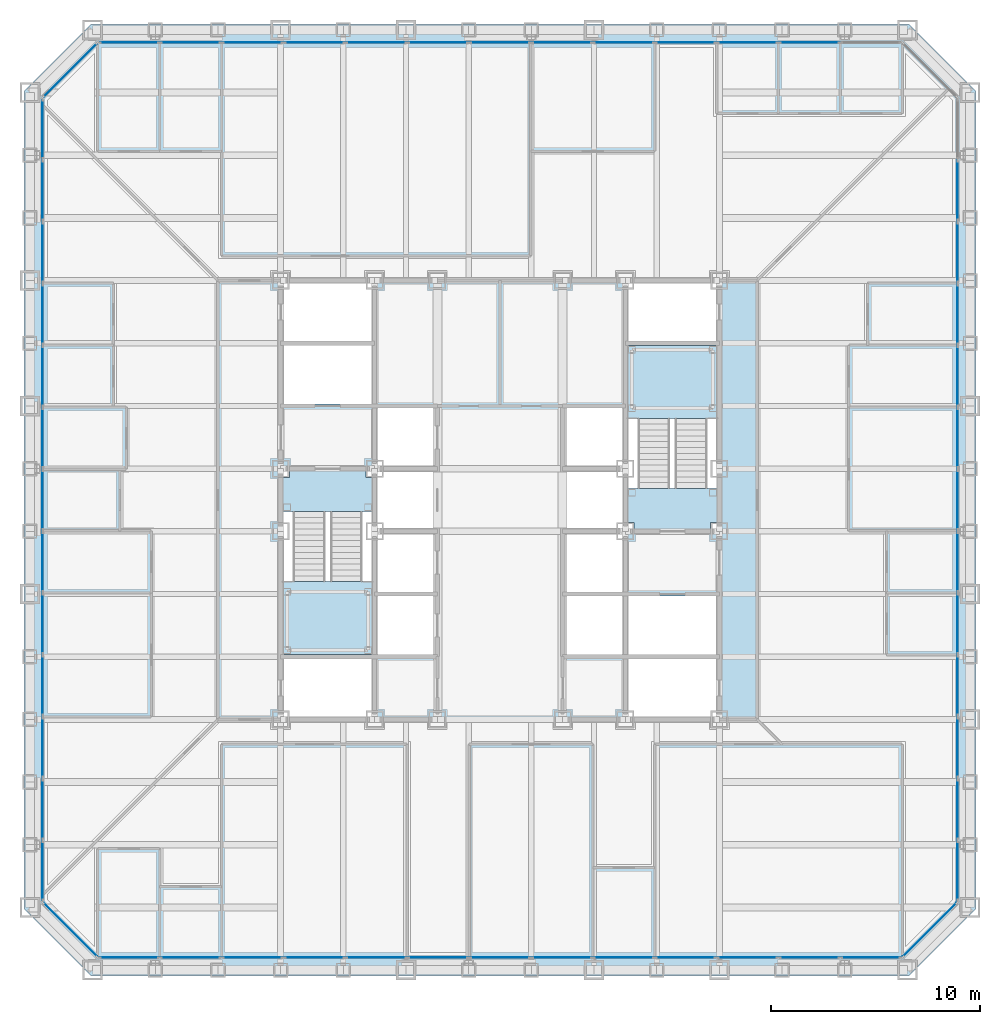
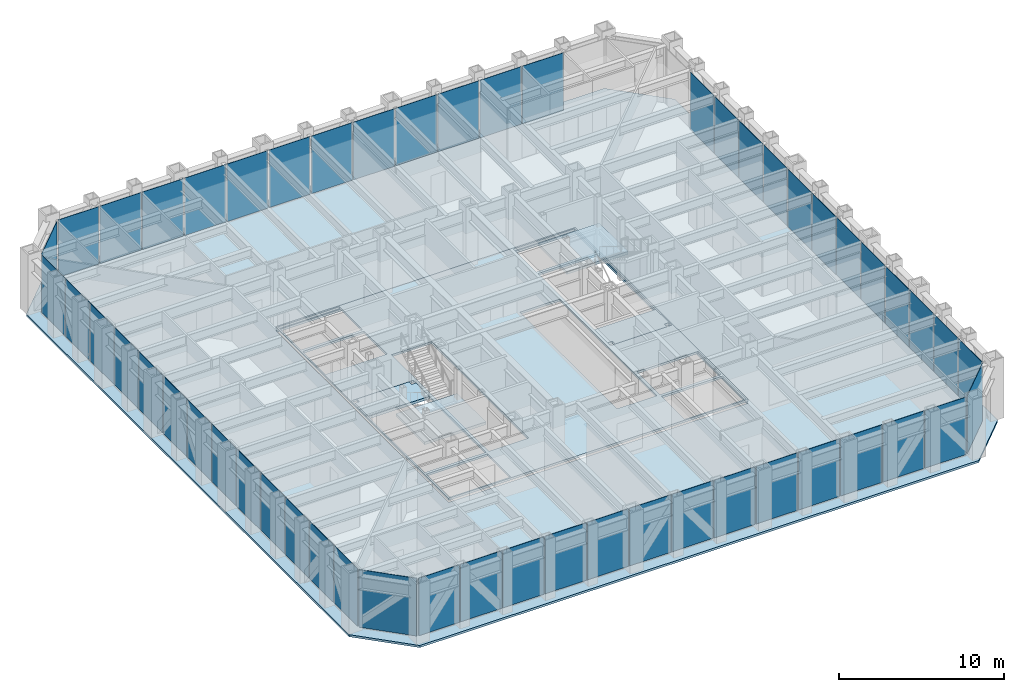
# One storey, part 7 of 17: 53 plates, 6 slabs, 9 elements without a shape of their own.
"""IFC4 building model written with IfcOpenShell, lengths in metres."""

from ifc_helpers import new_model, si_unit, direction, frame, origin, origin_2d, place, context, subcontext, project, spatial, polyline, rectangle, outline, extrude, material, layer, layer_set, type_object, element, aggregate, save


model = new_model("IFC4")

# Units and contexts
model_context = context("Model", 3, precision=1e-05, world=origin(), true_north=direction((0.0, 1.0)))
body_context = subcontext(model_context, "Body", "Model", "MODEL_VIEW")
ifc_project = project(units=[si_unit("LENGTHUNIT", "METRE"), si_unit("AREAUNIT", "SQUARE_METRE"), si_unit("VOLUMEUNIT", "CUBIC_METRE"), si_unit("PLANEANGLEUNIT", "RADIAN"), si_unit("MASSUNIT", "GRAM", prefix="KILO")], contexts=[model_context])

# Site, building, storey
site_placement = place(None, origin())
site = spatial("IfcSite", under=ifc_project, at=site_placement, CompositionType="ELEMENT")
building_placement = place(site_placement, origin())
building = spatial("IfcBuilding", under=site, at=building_placement, Name="Chuquiago Exchange Tower", CompositionType="ELEMENT")
storey_placement = place(building_placement, frame((0.0, 0.0, 69.300048828125)))
storey = spatial("IfcBuildingStorey", under=building, at=storey_placement, Name="L14", CompositionType="ELEMENT", Elevation=69.300048828125)

# Curtain wall, plates
ifc_material_1 = material(Name="Aluminium curtain wall system", Category="aluminium")
ifc_layer_1 = layer(ifc_material_1, 0.25)
ifc_layer_set_1 = layer_set([ifc_layer_1], Name="CW1 trading floor curtain wall")
curtain_wall_type_1 = type_object("IfcCurtainWallType", Name="CW1 trading floor curtain wall", PredefinedType="NOTDEFINED", material=ifc_layer_set_1)
curtain_wall_1_placement = place(storey_placement, origin())
curtain_wall_1 = element("IfcCurtainWall", 1, at=curtain_wall_1_placement, inside=storey, type_object=curtain_wall_type_1, Name="CW1 curtain wall L14", PredefinedType="NOTDEFINED")
ifc_material_2 = material(Name="Glass, insulating unit", Category="glass")
ifc_layer_2 = layer(ifc_material_2, 0.031982421875)
ifc_layer_set_2 = layer_set([ifc_layer_2], Name="CW1-P panel 32")
plate_type_1 = type_object("IfcPlateType", Name="CW1-P panel 32", PredefinedType="CURTAIN_PANEL", material=ifc_layer_set_2)
plate_1_placement = place(storey_placement, frame((10.65283203125, 0.60009765625, -0.22509765625), z_axis=(0.0, 0.0, 1.0), x_axis=(1.0, 0.0, 0.0)))
plate_1 = element("IfcPlate", 2, at=plate_1_placement, type_object=plate_type_1, Name="CW1 panel 3.1", PredefinedType="CURTAIN_PANEL", context=body_context, shape_type="SweptSolid", body=[
    extrude(rectangle(XDim=2.88671875, YDim=0.031982421875, at=origin_2d()), origin(), (0.0, 0.0, 1.0), 4.264892578125),
])
plate_2_placement = place(storey_placement, frame((13.61474609375, 0.60009765625, -0.22509765625), z_axis=(0.0, 0.0, 1.0), x_axis=(1.0, 0.0, 0.0)))
plate_2 = element("IfcPlate", 3, at=plate_2_placement, type_object=plate_type_1, Name="CW1 panel 4.1", PredefinedType="CURTAIN_PANEL", context=body_context, shape_type="SweptSolid", body=[
    extrude(rectangle(XDim=2.88671875, YDim=0.031982421875, at=origin_2d()), origin(), (0.0, 0.0, 1.0), 4.264892578125),
])
plate_3_placement = place(storey_placement, frame((16.576416015625, 0.60009765625, -0.22509765625), z_axis=(0.0, 0.0, 1.0), x_axis=(1.0, 0.0, 0.0)))
plate_3 = element("IfcPlate", 4, at=plate_3_placement, type_object=plate_type_1, Name="CW1 panel 5.1", PredefinedType="CURTAIN_PANEL", context=body_context, shape_type="SweptSolid", body=[
    extrude(rectangle(XDim=2.88671875, YDim=0.031982421875, at=origin_2d()), origin(), (0.0, 0.0, 1.0), 4.264892578125),
])
plate_4_placement = place(storey_placement, frame((25.461669921875, 0.60009765625, -0.22509765625), z_axis=(0.0, 0.0, 1.0), x_axis=(1.0, 0.0, 0.0)))
plate_4 = element("IfcPlate", 5, at=plate_4_placement, type_object=plate_type_1, Name="CW1 panel 8.1", PredefinedType="CURTAIN_PANEL", context=body_context, shape_type="SweptSolid", body=[
    extrude(rectangle(XDim=2.88671875, YDim=0.031982421875, at=origin_2d()), origin(), (0.0, 0.0, 1.0), 4.264892578125),
])
plate_5_placement = place(storey_placement, frame((28.423583984375, 0.60009765625, -0.22509765625), z_axis=(0.0, 0.0, 1.0), x_axis=(1.0, 0.0, 0.0)))
plate_5 = element("IfcPlate", 6, at=plate_5_placement, type_object=plate_type_1, Name="CW1 panel 9.1", PredefinedType="CURTAIN_PANEL", context=body_context, shape_type="SweptSolid", body=[
    extrude(rectangle(XDim=2.88671875, YDim=0.031982421875, at=origin_2d()), origin(), (0.0, 0.0, 1.0), 4.264892578125),
])
plate_6_placement = place(storey_placement, frame((31.38525390625, 0.60009765625, -0.22509765625), z_axis=(0.0, 0.0, 1.0), x_axis=(1.0, 0.0, 0.0)))
plate_6 = element("IfcPlate", 7, at=plate_6_placement, type_object=plate_type_1, Name="CW1 panel 10.1", PredefinedType="CURTAIN_PANEL", context=body_context, shape_type="SweptSolid", body=[
    extrude(rectangle(XDim=2.88671875, YDim=0.031982421875, at=origin_2d()), origin(), (0.0, 0.0, 1.0), 4.264892578125),
])
plate_7_placement = place(storey_placement, frame((34.34716796875, 0.60009765625, -0.22509765625), z_axis=(0.0, 0.0, 1.0), x_axis=(1.0, 0.0, 0.0)))
plate_7 = element("IfcPlate", 8, at=plate_7_placement, type_object=plate_type_1, Name="CW1 panel 11.1", PredefinedType="CURTAIN_PANEL", context=body_context, shape_type="SweptSolid", body=[
    extrude(rectangle(XDim=2.88671875, YDim=0.031982421875, at=origin_2d()), origin(), (0.0, 0.0, 1.0), 4.264892578125),
])

curtain_wall_2_placement = place(storey_placement, origin())
curtain_wall_2 = element("IfcCurtainWall", 9, at=curtain_wall_2_placement, inside=storey, type_object=curtain_wall_type_1, Name="CW1 curtain wall L14", PredefinedType="NOTDEFINED")
plate_8_placement = place(storey_placement, frame((44.39990234375, 10.65283203125, -0.22509765625), z_axis=(0.0, 0.0, 1.0), x_axis=(0.0, 1.0, 0.0)))
plate_8 = element("IfcPlate", 10, at=plate_8_placement, type_object=plate_type_1, Name="CW1 panel 3.1", PredefinedType="CURTAIN_PANEL", context=body_context, shape_type="SweptSolid", body=[
    extrude(rectangle(XDim=2.88671875, YDim=0.031982421875, at=origin_2d()), origin(), (0.0, 0.0, 1.0), 4.264892578125),
])
plate_9_placement = place(storey_placement, frame((44.39990234375, 13.61474609375, -0.22509765625), z_axis=(0.0, 0.0, 1.0), x_axis=(0.0, 1.0, 0.0)))
plate_9 = element("IfcPlate", 11, at=plate_9_placement, type_object=plate_type_1, Name="CW1 panel 4.1", PredefinedType="CURTAIN_PANEL", context=body_context, shape_type="SweptSolid", body=[
    extrude(rectangle(XDim=2.88671875, YDim=0.031982421875, at=origin_2d()), origin(), (0.0, 0.0, 1.0), 4.264892578125),
])
plate_10_placement = place(storey_placement, frame((44.39990234375, 16.576416015625, -0.22509765625), z_axis=(0.0, 0.0, 1.0), x_axis=(0.0, 1.0, 0.0)))
plate_10 = element("IfcPlate", 12, at=plate_10_placement, type_object=plate_type_1, Name="CW1 panel 5.1", PredefinedType="CURTAIN_PANEL", context=body_context, shape_type="SweptSolid", body=[
    extrude(rectangle(XDim=2.88671875, YDim=0.031982421875, at=origin_2d()), origin(), (0.0, 0.0, 1.0), 4.264892578125),
])
plate_11_placement = place(storey_placement, frame((44.39990234375, 25.461669921875, -0.22509765625), z_axis=(0.0, 0.0, 1.0), x_axis=(0.0, 1.0, 0.0)))
plate_11 = element("IfcPlate", 13, at=plate_11_placement, type_object=plate_type_1, Name="CW1 panel 8.1", PredefinedType="CURTAIN_PANEL", context=body_context, shape_type="SweptSolid", body=[
    extrude(rectangle(XDim=2.88671875, YDim=0.031982421875, at=origin_2d()), origin(), (0.0, 0.0, 1.0), 4.264892578125),
])
plate_12_placement = place(storey_placement, frame((44.39990234375, 28.423583984375, -0.22509765625), z_axis=(0.0, 0.0, 1.0), x_axis=(0.0, 1.0, 0.0)))
plate_12 = element("IfcPlate", 14, at=plate_12_placement, type_object=plate_type_1, Name="CW1 panel 9.1", PredefinedType="CURTAIN_PANEL", context=body_context, shape_type="SweptSolid", body=[
    extrude(rectangle(XDim=2.88671875, YDim=0.031982421875, at=origin_2d()), origin(), (0.0, 0.0, 1.0), 4.264892578125),
])
plate_13_placement = place(storey_placement, frame((44.39990234375, 31.38525390625, -0.22509765625), z_axis=(0.0, 0.0, 1.0), x_axis=(0.0, 1.0, 0.0)))
plate_13 = element("IfcPlate", 15, at=plate_13_placement, type_object=plate_type_1, Name="CW1 panel 10.1", PredefinedType="CURTAIN_PANEL", context=body_context, shape_type="SweptSolid", body=[
    extrude(rectangle(XDim=2.88671875, YDim=0.031982421875, at=origin_2d()), origin(), (0.0, 0.0, 1.0), 4.264892578125),
])
plate_14_placement = place(storey_placement, frame((44.39990234375, 34.34716796875, -0.22509765625), z_axis=(0.0, 0.0, 1.0), x_axis=(0.0, 1.0, 0.0)))
plate_14 = element("IfcPlate", 16, at=plate_14_placement, type_object=plate_type_1, Name="CW1 panel 11.1", PredefinedType="CURTAIN_PANEL", context=body_context, shape_type="SweptSolid", body=[
    extrude(rectangle(XDim=2.88671875, YDim=0.031982421875, at=origin_2d()), origin(), (0.0, 0.0, 1.0), 4.264892578125),
])

curtain_wall_3_placement = place(storey_placement, origin())
curtain_wall_3 = element("IfcCurtainWall", 17, at=curtain_wall_3_placement, inside=storey, type_object=curtain_wall_type_1, Name="CW1 curtain wall L14", PredefinedType="NOTDEFINED")
plate_15_placement = place(storey_placement, frame((34.34716796875, 44.39990234375, -0.22509765625), z_axis=(0.0, 0.0, 1.0), x_axis=(-1.0, 0.0, 0.0)))
plate_15 = element("IfcPlate", 18, at=plate_15_placement, type_object=plate_type_1, Name="CW1 panel 3.1", PredefinedType="CURTAIN_PANEL", context=body_context, shape_type="SweptSolid", body=[
    extrude(rectangle(XDim=2.88671875, YDim=0.031982421875, at=origin_2d()), origin(), (0.0, 0.0, 1.0), 4.264892578125),
])
plate_16_placement = place(storey_placement, frame((31.38525390625, 44.39990234375, -0.22509765625), z_axis=(0.0, 0.0, 1.0), x_axis=(-1.0, 0.0, 0.0)))
plate_16 = element("IfcPlate", 19, at=plate_16_placement, type_object=plate_type_1, Name="CW1 panel 4.1", PredefinedType="CURTAIN_PANEL", context=body_context, shape_type="SweptSolid", body=[
    extrude(rectangle(XDim=2.88671875, YDim=0.031982421875, at=origin_2d()), origin(), (0.0, 0.0, 1.0), 4.264892578125),
])
plate_17_placement = place(storey_placement, frame((28.423583984375, 44.39990234375, -0.22509765625), z_axis=(0.0, 0.0, 1.0), x_axis=(-1.0, 0.0, 0.0)))
plate_17 = element("IfcPlate", 20, at=plate_17_placement, type_object=plate_type_1, Name="CW1 panel 5.1", PredefinedType="CURTAIN_PANEL", context=body_context, shape_type="SweptSolid", body=[
    extrude(rectangle(XDim=2.88671875, YDim=0.031982421875, at=origin_2d()), origin(), (0.0, 0.0, 1.0), 4.264892578125),
])
plate_18_placement = place(storey_placement, frame((19.538330078125, 44.39990234375, -0.22509765625), z_axis=(0.0, 0.0, 1.0), x_axis=(-1.0, 0.0, 0.0)))
plate_18 = element("IfcPlate", 21, at=plate_18_placement, type_object=plate_type_1, Name="CW1 panel 8.1", PredefinedType="CURTAIN_PANEL", context=body_context, shape_type="SweptSolid", body=[
    extrude(rectangle(XDim=2.88671875, YDim=0.031982421875, at=origin_2d()), origin(), (0.0, 0.0, 1.0), 4.264892578125),
])
plate_19_placement = place(storey_placement, frame((16.576416015625, 44.39990234375, -0.22509765625), z_axis=(0.0, 0.0, 1.0), x_axis=(-1.0, 0.0, 0.0)))
plate_19 = element("IfcPlate", 22, at=plate_19_placement, type_object=plate_type_1, Name="CW1 panel 9.1", PredefinedType="CURTAIN_PANEL", context=body_context, shape_type="SweptSolid", body=[
    extrude(rectangle(XDim=2.88671875, YDim=0.031982421875, at=origin_2d()), origin(), (0.0, 0.0, 1.0), 4.264892578125),
])
plate_20_placement = place(storey_placement, frame((13.61474609375, 44.39990234375, -0.22509765625), z_axis=(0.0, 0.0, 1.0), x_axis=(-1.0, 0.0, 0.0)))
plate_20 = element("IfcPlate", 23, at=plate_20_placement, type_object=plate_type_1, Name="CW1 panel 10.1", PredefinedType="CURTAIN_PANEL", context=body_context, shape_type="SweptSolid", body=[
    extrude(rectangle(XDim=2.88671875, YDim=0.031982421875, at=origin_2d()), origin(), (0.0, 0.0, 1.0), 4.264892578125),
])
plate_21_placement = place(storey_placement, frame((10.65283203125, 44.39990234375, -0.22509765625), z_axis=(0.0, 0.0, 1.0), x_axis=(-1.0, 0.0, 0.0)))
plate_21 = element("IfcPlate", 24, at=plate_21_placement, type_object=plate_type_1, Name="CW1 panel 11.1", PredefinedType="CURTAIN_PANEL", context=body_context, shape_type="SweptSolid", body=[
    extrude(rectangle(XDim=2.88671875, YDim=0.031982421875, at=origin_2d()), origin(), (0.0, 0.0, 1.0), 4.264892578125),
])

curtain_wall_4_placement = place(storey_placement, origin())
curtain_wall_4 = element("IfcCurtainWall", 25, at=curtain_wall_4_placement, inside=storey, type_object=curtain_wall_type_1, Name="CW1 curtain wall L14", PredefinedType="NOTDEFINED")
plate_22_placement = place(storey_placement, frame((0.60009765625, 34.34716796875, -0.22509765625), z_axis=(0.0, 0.0, 1.0), x_axis=(0.0, -1.0, 0.0)))
plate_22 = element("IfcPlate", 26, at=plate_22_placement, type_object=plate_type_1, Name="CW1 panel 3.1", PredefinedType="CURTAIN_PANEL", context=body_context, shape_type="SweptSolid", body=[
    extrude(rectangle(XDim=2.88671875, YDim=0.031982421875, at=origin_2d()), origin(), (0.0, 0.0, 1.0), 4.264892578125),
])
plate_23_placement = place(storey_placement, frame((0.60009765625, 31.38525390625, -0.22509765625), z_axis=(0.0, 0.0, 1.0), x_axis=(0.0, -1.0, 0.0)))
plate_23 = element("IfcPlate", 27, at=plate_23_placement, type_object=plate_type_1, Name="CW1 panel 4.1", PredefinedType="CURTAIN_PANEL", context=body_context, shape_type="SweptSolid", body=[
    extrude(rectangle(XDim=2.88671875, YDim=0.031982421875, at=origin_2d()), origin(), (0.0, 0.0, 1.0), 4.264892578125),
])
plate_24_placement = place(storey_placement, frame((0.60009765625, 28.423583984375, -0.22509765625), z_axis=(0.0, 0.0, 1.0), x_axis=(0.0, -1.0, 0.0)))
plate_24 = element("IfcPlate", 28, at=plate_24_placement, type_object=plate_type_1, Name="CW1 panel 5.1", PredefinedType="CURTAIN_PANEL", context=body_context, shape_type="SweptSolid", body=[
    extrude(rectangle(XDim=2.88671875, YDim=0.031982421875, at=origin_2d()), origin(), (0.0, 0.0, 1.0), 4.264892578125),
])
plate_25_placement = place(storey_placement, frame((0.60009765625, 19.538330078125, -0.22509765625), z_axis=(0.0, 0.0, 1.0), x_axis=(0.0, -1.0, 0.0)))
plate_25 = element("IfcPlate", 29, at=plate_25_placement, type_object=plate_type_1, Name="CW1 panel 8.1", PredefinedType="CURTAIN_PANEL", context=body_context, shape_type="SweptSolid", body=[
    extrude(rectangle(XDim=2.88671875, YDim=0.031982421875, at=origin_2d()), origin(), (0.0, 0.0, 1.0), 4.264892578125),
])
plate_26_placement = place(storey_placement, frame((0.60009765625, 16.576416015625, -0.22509765625), z_axis=(0.0, 0.0, 1.0), x_axis=(0.0, -1.0, 0.0)))
plate_26 = element("IfcPlate", 30, at=plate_26_placement, type_object=plate_type_1, Name="CW1 panel 9.1", PredefinedType="CURTAIN_PANEL", context=body_context, shape_type="SweptSolid", body=[
    extrude(rectangle(XDim=2.88671875, YDim=0.031982421875, at=origin_2d()), origin(), (0.0, 0.0, 1.0), 4.264892578125),
])
plate_27_placement = place(storey_placement, frame((0.60009765625, 13.61474609375, -0.22509765625), z_axis=(0.0, 0.0, 1.0), x_axis=(0.0, -1.0, 0.0)))
plate_27 = element("IfcPlate", 31, at=plate_27_placement, type_object=plate_type_1, Name="CW1 panel 10.1", PredefinedType="CURTAIN_PANEL", context=body_context, shape_type="SweptSolid", body=[
    extrude(rectangle(XDim=2.88671875, YDim=0.031982421875, at=origin_2d()), origin(), (0.0, 0.0, 1.0), 4.264892578125),
])
plate_28_placement = place(storey_placement, frame((0.60009765625, 10.65283203125, -0.22509765625), z_axis=(0.0, 0.0, 1.0), x_axis=(0.0, -1.0, 0.0)))
plate_28 = element("IfcPlate", 32, at=plate_28_placement, type_object=plate_type_1, Name="CW1 panel 11.1", PredefinedType="CURTAIN_PANEL", context=body_context, shape_type="SweptSolid", body=[
    extrude(rectangle(XDim=2.88671875, YDim=0.031982421875, at=origin_2d()), origin(), (0.0, 0.0, 1.0), 4.264892578125),
])

# Plate
ifc_material_3 = material(Name="Insulated spandrel panel, pale anodised aluminium", Category="aluminium")
ifc_layer_3 = layer(ifc_material_3, 0.031982421875)
ifc_layer_set_3 = layer_set([ifc_layer_3], Name="CW1-P spandrel panel 32")
plate_type_2 = type_object("IfcPlateType", Name="CW1-P spandrel panel 32", PredefinedType="CURTAIN_PANEL", material=ifc_layer_set_3)
plate_29_placement = place(storey_placement, frame((4.748046875, 0.60009765625, -0.22509765625), z_axis=(0.0, 0.0, 1.0), x_axis=(1.0, 0.0, 0.0)))
plate_29 = element("IfcPlate", 33, at=plate_29_placement, type_object=plate_type_2, Name="CW1 panel 1.1", PredefinedType="CURTAIN_PANEL", context=body_context, shape_type="SweptSolid", body=[
    extrude(rectangle(XDim=2.849365234375, YDim=0.031982421875, at=origin_2d()), origin(), (0.0, 0.0, 1.0), 4.264892578125),
])

plate_30_placement = place(storey_placement, frame((7.691162109375, 0.60009765625, -0.22509765625), z_axis=(0.0, 0.0, 1.0), x_axis=(1.0, 0.0, 0.0)))
plate_30 = element("IfcPlate", 34, at=plate_30_placement, type_object=plate_type_2, Name="CW1 panel 2.1", PredefinedType="CURTAIN_PANEL", context=body_context, shape_type="SweptSolid", body=[
    extrude(rectangle(XDim=2.88671875, YDim=0.031982421875, at=origin_2d()), origin(), (0.0, 0.0, 1.0), 4.264892578125),
])

plate_31_placement = place(storey_placement, frame((19.538330078125, 0.60009765625, -0.22509765625), z_axis=(0.0, 0.0, 1.0), x_axis=(1.0, 0.0, 0.0)))
plate_31 = element("IfcPlate", 35, at=plate_31_placement, type_object=plate_type_2, Name="CW1 panel 6.1", PredefinedType="CURTAIN_PANEL", context=body_context, shape_type="SweptSolid", body=[
    extrude(rectangle(XDim=2.88671875, YDim=0.031982421875, at=origin_2d()), origin(), (0.0, 0.0, 1.0), 4.264892578125),
])

plate_32_placement = place(storey_placement, frame((22.5, 0.60009765625, -0.22509765625), z_axis=(0.0, 0.0, 1.0), x_axis=(1.0, 0.0, 0.0)))
plate_32 = element("IfcPlate", 36, at=plate_32_placement, type_object=plate_type_2, Name="CW1 panel 7.1", PredefinedType="CURTAIN_PANEL", context=body_context, shape_type="SweptSolid", body=[
    extrude(rectangle(XDim=2.88671875, YDim=0.031982421875, at=origin_2d()), origin(), (0.0, 0.0, 1.0), 4.264892578125),
])

plate_33_placement = place(storey_placement, frame((37.308837890625, 0.60009765625, -0.22509765625), z_axis=(0.0, 0.0, 1.0), x_axis=(1.0, 0.0, 0.0)))
plate_33 = element("IfcPlate", 37, at=plate_33_placement, type_object=plate_type_2, Name="CW1 panel 12.1", PredefinedType="CURTAIN_PANEL", context=body_context, shape_type="SweptSolid", body=[
    extrude(rectangle(XDim=2.88671875, YDim=0.031982421875, at=origin_2d()), origin(), (0.0, 0.0, 1.0), 4.264892578125),
])

plate_34_placement = place(storey_placement, frame((40.251953125, 0.60009765625, -0.22509765625), z_axis=(0.0, 0.0, 1.0), x_axis=(1.0, 0.0, 0.0)))
plate_34 = element("IfcPlate", 38, at=plate_34_placement, type_object=plate_type_2, Name="CW1 panel 13.1", PredefinedType="CURTAIN_PANEL", context=body_context, shape_type="SweptSolid", body=[
    extrude(rectangle(XDim=2.849365234375, YDim=0.031982421875, at=origin_2d()), origin(), (0.0, 0.0, 1.0), 4.264892578125),
])

aggregate(curtain_wall_1, [plate_29, plate_30, plate_1, plate_2, plate_3, plate_31, plate_32, plate_4, plate_5, plate_6, plate_7, plate_33, plate_34])

plate_35_placement = place(storey_placement, frame((44.39990234375, 4.748046875, -0.22509765625), z_axis=(0.0, 0.0, 1.0), x_axis=(0.0, 1.0, 0.0)))
plate_35 = element("IfcPlate", 39, at=plate_35_placement, type_object=plate_type_2, Name="CW1 panel 1.1", PredefinedType="CURTAIN_PANEL", context=body_context, shape_type="SweptSolid", body=[
    extrude(rectangle(XDim=2.849365234375, YDim=0.031982421875, at=origin_2d()), origin(), (0.0, 0.0, 1.0), 4.264892578125),
])

plate_36_placement = place(storey_placement, frame((44.39990234375, 7.691162109375, -0.22509765625), z_axis=(0.0, 0.0, 1.0), x_axis=(0.0, 1.0, 0.0)))
plate_36 = element("IfcPlate", 40, at=plate_36_placement, type_object=plate_type_2, Name="CW1 panel 2.1", PredefinedType="CURTAIN_PANEL", context=body_context, shape_type="SweptSolid", body=[
    extrude(rectangle(XDim=2.88671875, YDim=0.031982421875, at=origin_2d()), origin(), (0.0, 0.0, 1.0), 4.264892578125),
])

plate_37_placement = place(storey_placement, frame((44.39990234375, 19.538330078125, -0.22509765625), z_axis=(0.0, 0.0, 1.0), x_axis=(0.0, 1.0, 0.0)))
plate_37 = element("IfcPlate", 41, at=plate_37_placement, type_object=plate_type_2, Name="CW1 panel 6.1", PredefinedType="CURTAIN_PANEL", context=body_context, shape_type="SweptSolid", body=[
    extrude(rectangle(XDim=2.88671875, YDim=0.031982421875, at=origin_2d()), origin(), (0.0, 0.0, 1.0), 4.264892578125),
])

plate_38_placement = place(storey_placement, frame((44.39990234375, 22.5, -0.22509765625), z_axis=(0.0, 0.0, 1.0), x_axis=(0.0, 1.0, 0.0)))
plate_38 = element("IfcPlate", 42, at=plate_38_placement, type_object=plate_type_2, Name="CW1 panel 7.1", PredefinedType="CURTAIN_PANEL", context=body_context, shape_type="SweptSolid", body=[
    extrude(rectangle(XDim=2.88671875, YDim=0.031982421875, at=origin_2d()), origin(), (0.0, 0.0, 1.0), 4.264892578125),
])

plate_39_placement = place(storey_placement, frame((44.39990234375, 37.308837890625, -0.22509765625), z_axis=(0.0, 0.0, 1.0), x_axis=(0.0, 1.0, 0.0)))
plate_39 = element("IfcPlate", 43, at=plate_39_placement, type_object=plate_type_2, Name="CW1 panel 12.1", PredefinedType="CURTAIN_PANEL", context=body_context, shape_type="SweptSolid", body=[
    extrude(rectangle(XDim=2.88671875, YDim=0.031982421875, at=origin_2d()), origin(), (0.0, 0.0, 1.0), 4.264892578125),
])

aggregate(curtain_wall_2, [plate_35, plate_36, plate_8, plate_9, plate_10, plate_37, plate_38, plate_11, plate_12, plate_13, plate_14, plate_39])

plate_40_placement = place(storey_placement, frame((37.308837890625, 44.39990234375, -0.22509765625), z_axis=(0.0, 0.0, 1.0), x_axis=(-1.0, 0.0, 0.0)))
plate_40 = element("IfcPlate", 44, at=plate_40_placement, type_object=plate_type_2, Name="CW1 panel 2.1", PredefinedType="CURTAIN_PANEL", context=body_context, shape_type="SweptSolid", body=[
    extrude(rectangle(XDim=2.88671875, YDim=0.031982421875, at=origin_2d()), origin(), (0.0, 0.0, 1.0), 4.264892578125),
])

plate_41_placement = place(storey_placement, frame((25.461669921875, 44.39990234375, -0.22509765625), z_axis=(0.0, 0.0, 1.0), x_axis=(-1.0, 0.0, 0.0)))
plate_41 = element("IfcPlate", 45, at=plate_41_placement, type_object=plate_type_2, Name="CW1 panel 6.1", PredefinedType="CURTAIN_PANEL", context=body_context, shape_type="SweptSolid", body=[
    extrude(rectangle(XDim=2.88671875, YDim=0.031982421875, at=origin_2d()), origin(), (0.0, 0.0, 1.0), 4.264892578125),
])

plate_42_placement = place(storey_placement, frame((22.5, 44.39990234375, -0.22509765625), z_axis=(0.0, 0.0, 1.0), x_axis=(-1.0, 0.0, 0.0)))
plate_42 = element("IfcPlate", 46, at=plate_42_placement, type_object=plate_type_2, Name="CW1 panel 7.1", PredefinedType="CURTAIN_PANEL", context=body_context, shape_type="SweptSolid", body=[
    extrude(rectangle(XDim=2.88671875, YDim=0.031982421875, at=origin_2d()), origin(), (0.0, 0.0, 1.0), 4.264892578125),
])

plate_43_placement = place(storey_placement, frame((7.691162109375, 44.39990234375, -0.22509765625), z_axis=(0.0, 0.0, 1.0), x_axis=(-1.0, 0.0, 0.0)))
plate_43 = element("IfcPlate", 47, at=plate_43_placement, type_object=plate_type_2, Name="CW1 panel 12.1", PredefinedType="CURTAIN_PANEL", context=body_context, shape_type="SweptSolid", body=[
    extrude(rectangle(XDim=2.88671875, YDim=0.031982421875, at=origin_2d()), origin(), (0.0, 0.0, 1.0), 4.264892578125),
])

plate_44_placement = place(storey_placement, frame((4.748046875, 44.39990234375, -0.22509765625), z_axis=(0.0, 0.0, 1.0), x_axis=(-1.0, 0.0, 0.0)))
plate_44 = element("IfcPlate", 48, at=plate_44_placement, type_object=plate_type_2, Name="CW1 panel 13.1", PredefinedType="CURTAIN_PANEL", context=body_context, shape_type="SweptSolid", body=[
    extrude(rectangle(XDim=2.849365234375, YDim=0.031982421875, at=origin_2d()), origin(), (0.0, 0.0, 1.0), 4.264892578125),
])

aggregate(curtain_wall_3, [plate_40, plate_15, plate_16, plate_17, plate_41, plate_42, plate_18, plate_19, plate_20, plate_21, plate_43, plate_44])

plate_45_placement = place(storey_placement, frame((0.60009765625, 40.251953125, -0.22509765625), z_axis=(0.0, 0.0, 1.0), x_axis=(0.0, -1.0, 0.0)))
plate_45 = element("IfcPlate", 49, at=plate_45_placement, type_object=plate_type_2, Name="CW1 panel 1.1", PredefinedType="CURTAIN_PANEL", context=body_context, shape_type="SweptSolid", body=[
    extrude(rectangle(XDim=2.849365234375, YDim=0.031982421875, at=origin_2d()), origin(), (0.0, 0.0, 1.0), 4.264892578125),
])

plate_46_placement = place(storey_placement, frame((0.60009765625, 37.308837890625, -0.22509765625), z_axis=(0.0, 0.0, 1.0), x_axis=(0.0, -1.0, 0.0)))
plate_46 = element("IfcPlate", 50, at=plate_46_placement, type_object=plate_type_2, Name="CW1 panel 2.1", PredefinedType="CURTAIN_PANEL", context=body_context, shape_type="SweptSolid", body=[
    extrude(rectangle(XDim=2.88671875, YDim=0.031982421875, at=origin_2d()), origin(), (0.0, 0.0, 1.0), 4.264892578125),
])

plate_47_placement = place(storey_placement, frame((0.60009765625, 25.461669921875, -0.22509765625), z_axis=(0.0, 0.0, 1.0), x_axis=(0.0, -1.0, 0.0)))
plate_47 = element("IfcPlate", 51, at=plate_47_placement, type_object=plate_type_2, Name="CW1 panel 6.1", PredefinedType="CURTAIN_PANEL", context=body_context, shape_type="SweptSolid", body=[
    extrude(rectangle(XDim=2.88671875, YDim=0.031982421875, at=origin_2d()), origin(), (0.0, 0.0, 1.0), 4.264892578125),
])

plate_48_placement = place(storey_placement, frame((0.60009765625, 22.5, -0.22509765625), z_axis=(0.0, 0.0, 1.0), x_axis=(0.0, -1.0, 0.0)))
plate_48 = element("IfcPlate", 52, at=plate_48_placement, type_object=plate_type_2, Name="CW1 panel 7.1", PredefinedType="CURTAIN_PANEL", context=body_context, shape_type="SweptSolid", body=[
    extrude(rectangle(XDim=2.88671875, YDim=0.031982421875, at=origin_2d()), origin(), (0.0, 0.0, 1.0), 4.264892578125),
])

plate_49_placement = place(storey_placement, frame((0.60009765625, 7.691162109375, -0.22509765625), z_axis=(0.0, 0.0, 1.0), x_axis=(0.0, -1.0, 0.0)))
plate_49 = element("IfcPlate", 53, at=plate_49_placement, type_object=plate_type_2, Name="CW1 panel 12.1", PredefinedType="CURTAIN_PANEL", context=body_context, shape_type="SweptSolid", body=[
    extrude(rectangle(XDim=2.88671875, YDim=0.031982421875, at=origin_2d()), origin(), (0.0, 0.0, 1.0), 4.264892578125),
])

plate_50_placement = place(storey_placement, frame((0.60009765625, 4.748046875, -0.22509765625), z_axis=(0.0, 0.0, 1.0), x_axis=(0.0, -1.0, 0.0)))
plate_50 = element("IfcPlate", 54, at=plate_50_placement, type_object=plate_type_2, Name="CW1 panel 13.1", PredefinedType="CURTAIN_PANEL", context=body_context, shape_type="SweptSolid", body=[
    extrude(rectangle(XDim=2.849365234375, YDim=0.031982421875, at=origin_2d()), origin(), (0.0, 0.0, 1.0), 4.264892578125),
])

aggregate(curtain_wall_4, [plate_45, plate_46, plate_22, plate_23, plate_24, plate_47, plate_48, plate_25, plate_26, plate_27, plate_28, plate_49, plate_50])

# Curtain wall, plate
ifc_material_4 = material(Name="Aluminium curtain wall system", Category="aluminium")
ifc_layer_4 = layer(ifc_material_4, 0.199951171875)
ifc_layer_set_4 = layer_set([ifc_layer_4], Name="CW3 facet curtain wall")
curtain_wall_type_2 = type_object("IfcCurtainWallType", Name="CW3 facet curtain wall", PredefinedType="NOTDEFINED", material=ifc_layer_set_4)
curtain_wall_5_placement = place(storey_placement, origin())
curtain_wall_5 = element("IfcCurtainWall", 55, at=curtain_wall_5_placement, inside=storey, type_object=curtain_wall_type_2, Name="CW3 curtain wall L14", PredefinedType="NOTDEFINED")
ifc_material_5 = material(Name="Insulated spandrel panel, pale anodised aluminium", Category="aluminium")
ifc_layer_5 = layer(ifc_material_5, 0.030029296875)
ifc_layer_set_5 = layer_set([ifc_layer_5], Name="CW3-P spandrel panel 30")
plate_type_3 = type_object("IfcPlateType", Name="CW3-P spandrel panel 30", PredefinedType="CURTAIN_PANEL", material=ifc_layer_set_5)
plate_51_placement = place(storey_placement, frame((43.07568359375, 1.92431640625, -0.235107421875), z_axis=(0.0, 0.0, 1.0), x_axis=(0.707106781187, 0.707106781187, 0.0)))
plate_51 = element("IfcPlate", 56, at=plate_51_placement, type_object=plate_type_3, Name="CW3 panel 1.1", PredefinedType="CURTAIN_PANEL", context=body_context, shape_type="SweptSolid", body=[
    extrude(rectangle(XDim=3.615478515625, YDim=0.030029296875, at=origin_2d()), origin(), (0.0, 0.0, 1.0), 4.27490234375),
])
aggregate(curtain_wall_5, [plate_51])

curtain_wall_6_placement = place(storey_placement, origin())
curtain_wall_6 = element("IfcCurtainWall", 57, at=curtain_wall_6_placement, inside=storey, type_object=curtain_wall_type_2, Name="CW3 curtain wall L14", PredefinedType="NOTDEFINED")
plate_52_placement = place(storey_placement, frame((1.92431640625, 43.07568359375, -0.235107421875), z_axis=(0.0, 0.0, 1.0), x_axis=(-0.707106781187, -0.707106781187, 0.0)))
plate_52 = element("IfcPlate", 58, at=plate_52_placement, type_object=plate_type_3, Name="CW3 panel 1.1", PredefinedType="CURTAIN_PANEL", context=body_context, shape_type="SweptSolid", body=[
    extrude(rectangle(XDim=3.615478515625, YDim=0.030029296875, at=origin_2d()), origin(), (0.0, 0.0, 1.0), 4.27490234375),
])
aggregate(curtain_wall_6, [plate_52])

curtain_wall_7_placement = place(storey_placement, origin())
curtain_wall_7 = element("IfcCurtainWall", 59, at=curtain_wall_7_placement, inside=storey, type_object=curtain_wall_type_2, Name="CW3 curtain wall L14", PredefinedType="NOTDEFINED")
plate_53_placement = place(storey_placement, frame((1.92431640625, 1.92431640625, -0.235107421875), z_axis=(0.0, 0.0, 1.0), x_axis=(0.707106781187, -0.707106781187, 0.0)))
plate_53 = element("IfcPlate", 60, at=plate_53_placement, type_object=plate_type_3, Name="CW3 panel 1.1", PredefinedType="CURTAIN_PANEL", context=body_context, shape_type="SweptSolid", body=[
    extrude(rectangle(XDim=3.615478515625, YDim=0.030029296875, at=origin_2d()), origin(), (0.0, 0.0, 1.0), 4.27490234375),
])
aggregate(curtain_wall_7, [plate_53])

# Slabs
ifc_material_6 = material(Name="Concrete C30/37", Category="concrete")
ifc_layer_6 = layer(ifc_material_6, 0.159912109375)
ifc_layer_set_6 = layer_set([ifc_layer_6], Name="FS1 composite floor 160")
slab_type_1 = type_object("IfcSlabType", Name="FS1 composite floor 160", PredefinedType="FLOOR", material=ifc_layer_set_6)
slab_1_placement = place(storey_placement, frame((0.0, 0.0, -0.4599609375)))
element("IfcSlab", 61, at=slab_1_placement, inside=storey, type_object=slab_type_1, Name="L14 floor slab, lowered under the raised floor", PredefinedType="FLOOR", context=body_context, shape_type="SweptSolid", body=[
    extrude(outline(polyline([(-0.25, 2.896484375), (-0.25, 42.103515625), (2.896484375, 45.25), (42.103515625, 45.25), (45.25, 42.103515625), (45.25, 2.896484375), (42.103515625, -0.25), (2.896484375, -0.25), (-0.25, 2.896484375)]), holes=[polyline([(33.0, 33.0), (12.0, 33.0), (12.0, 12.0), (33.0, 12.0), (33.0, 33.0)])]), origin(), (0.0, 0.0, 1.0), 0.159912109375),
])
slab_2_placement = place(storey_placement, frame((0.0, 0.0, -0.16015625)))
element("IfcSlab", 62, at=slab_2_placement, inside=storey, type_object=slab_type_1, Name="L14 core floor slab", PredefinedType="FLOOR", context=body_context, shape_type="SweptSolid", body=[
    extrude(outline(polyline([(33.0, 12.0), (33.0, 33.0), (12.0, 33.0), (12.0, 12.0), (33.0, 12.0)]), holes=[polyline([(16.39990234375, 15.10009765625), (12.10009765625, 15.10009765625), (12.10009765625, 23.89990234375), (16.39990234375, 23.89990234375), (16.39990234375, 15.10009765625)]), polyline([(32.89990234375, 21.10009765625), (28.60009765625, 21.10009765625), (28.60009765625, 29.89990234375), (32.89990234375, 29.89990234375), (32.89990234375, 21.10009765625)]), polyline([(16.39990234375, 12.10009765625), (12.10009765625, 12.10009765625), (12.10009765625, 14.89990234375), (16.39990234375, 14.89990234375), (16.39990234375, 12.10009765625)]), polyline([(16.39990234375, 30.10009765625), (12.10009765625, 30.10009765625), (12.10009765625, 32.89990234375), (16.39990234375, 32.89990234375), (16.39990234375, 30.10009765625)]), polyline([(32.89990234375, 12.10009765625), (28.60009765625, 12.10009765625), (28.60009765625, 14.89990234375), (32.89990234375, 14.89990234375), (32.89990234375, 12.10009765625)]), polyline([(32.89990234375, 30.10009765625), (28.60009765625, 30.10009765625), (28.60009765625, 32.89990234375), (32.89990234375, 32.89990234375), (32.89990234375, 30.10009765625)]), polyline([(16.39990234375, 27.10009765625), (12.10009765625, 27.10009765625), (12.10009765625, 29.89990234375), (16.39990234375, 29.89990234375), (16.39990234375, 27.10009765625)]), polyline([(32.89990234375, 15.10009765625), (28.60009765625, 15.10009765625), (28.60009765625, 17.89990234375), (32.89990234375, 17.89990234375), (32.89990234375, 15.10009765625)]), polyline([(19.39990234375, 15.10009765625), (16.60009765625, 15.10009765625), (16.60009765625, 26.89990234375), (19.39990234375, 26.89990234375), (19.39990234375, 15.10009765625)]), polyline([(28.39990234375, 15.10009765625), (25.60009765625, 15.10009765625), (25.60009765625, 26.89990234375), (28.39990234375, 26.89990234375), (28.39990234375, 15.10009765625)])]), origin(), (0.0, 0.0, 1.0), 0.16015625),
])

# Stair, slabs
ifc_material_7 = material(Name="Concrete C30/37, precast", Category="concrete")
stair_type_1 = type_object("IfcStairType", Name="ST1 half-turn stair 4500", PredefinedType="HALF_TURN_STAIR", material=ifc_material_7)
stair_1_placement = place(storey_placement, origin())
stair_1 = element("IfcStair", 63, at=stair_1_placement, inside=storey, type_object=stair_type_1, Name="Stair ST1 L14", PredefinedType="HALF_TURN_STAIR")
ifc_material_8 = material(Name="Concrete C30/37, precast", Category="concrete")
ifc_layer_7 = layer(ifc_material_8, 0.199951171875)
ifc_layer_set_7 = layer_set([ifc_layer_7], Name="ST-L landing 200")
slab_type_2 = type_object("IfcSlabType", Name="ST-L landing 200", PredefinedType="LANDING", material=ifc_layer_set_7)
slab_3_placement = place(storey_placement, frame((0.0, 0.0, -0.199951171875)))
slab_3 = element("IfcSlab", 64, at=slab_3_placement, type_object=slab_type_2, Name="ST1 landing 1", PredefinedType="LANDING", context=body_context, shape_type="SweptSolid", body=[
    extrude(outline(polyline([(12.425048828125, 23.89990234375), (16.074951171875, 23.89990234375), (16.074951171875, 23.574951171875), (16.39990234375, 23.574951171875), (16.39990234375, 21.949951171875), (12.10009765625, 21.949951171875), (12.10009765625, 23.574951171875), (12.425048828125, 23.574951171875), (12.425048828125, 23.89990234375)])), origin(), (0.0, 0.0, 1.0), 0.199951171875),
])
slab_4_placement = place(storey_placement, frame((0.0, 0.0, 2.050048828125)))
slab_4 = element("IfcSlab", 65, at=slab_4_placement, type_object=slab_type_2, Name="ST1 landing 2", PredefinedType="LANDING", context=body_context, shape_type="SweptSolid", body=[
    extrude(outline(polyline([(12.10009765625, 18.590087890625), (16.39990234375, 18.590087890625), (16.39990234375, 15.10009765625), (12.10009765625, 15.10009765625), (12.10009765625, 18.590087890625)])), origin(), (0.0, 0.0, 1.0), 0.199951171875),
])
aggregate(stair_1, [slab_3, slab_4])

ifc_material_9 = material(Name="Concrete C30/37, precast", Category="concrete")
stair_type_2 = type_object("IfcStairType", Name="ST2 half-turn stair 4500", PredefinedType="HALF_TURN_STAIR", material=ifc_material_9)
stair_2_placement = place(storey_placement, origin())
stair_2 = element("IfcStair", 66, at=stair_2_placement, inside=storey, type_object=stair_type_2, Name="Stair ST2 L14", PredefinedType="HALF_TURN_STAIR")
slab_5_placement = place(storey_placement, frame((0.0, 0.0, -0.199951171875)))
slab_5 = element("IfcSlab", 67, at=slab_5_placement, type_object=slab_type_2, Name="ST2 landing 1", PredefinedType="LANDING", context=body_context, shape_type="SweptSolid", body=[
    extrude(outline(polyline([(32.574951171875, 21.425048828125), (32.574951171875, 21.10009765625), (28.925048828125, 21.10009765625), (28.925048828125, 21.425048828125), (28.60009765625, 21.425048828125), (28.60009765625, 23.050048828125), (32.89990234375, 23.050048828125), (32.89990234375, 21.425048828125), (32.574951171875, 21.425048828125)])), origin(), (0.0, 0.0, 1.0), 0.199951171875),
])
slab_6_placement = place(storey_placement, frame((0.0, 0.0, 2.050048828125)))
slab_6 = element("IfcSlab", 68, at=slab_6_placement, type_object=slab_type_2, Name="ST2 landing 2", PredefinedType="LANDING", context=body_context, shape_type="SweptSolid", body=[
    extrude(outline(polyline([(28.60009765625, 29.89990234375), (32.89990234375, 29.89990234375), (32.89990234375, 26.409912109375), (28.60009765625, 26.409912109375), (28.60009765625, 29.89990234375)])), origin(), (0.0, 0.0, 1.0), 0.199951171875),
])
aggregate(stair_2, [slab_5, slab_6])

save(model, "model.ifc")
